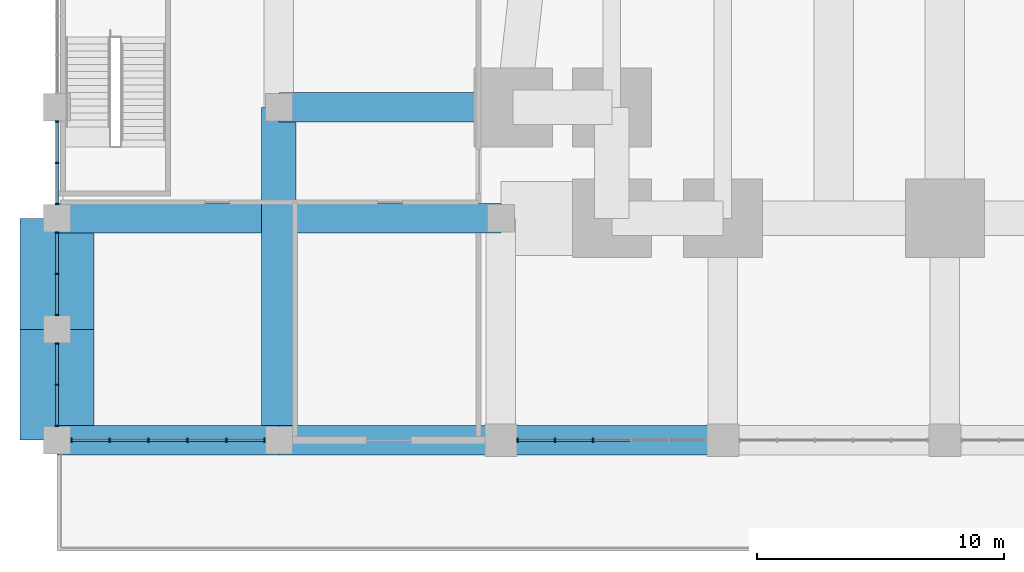
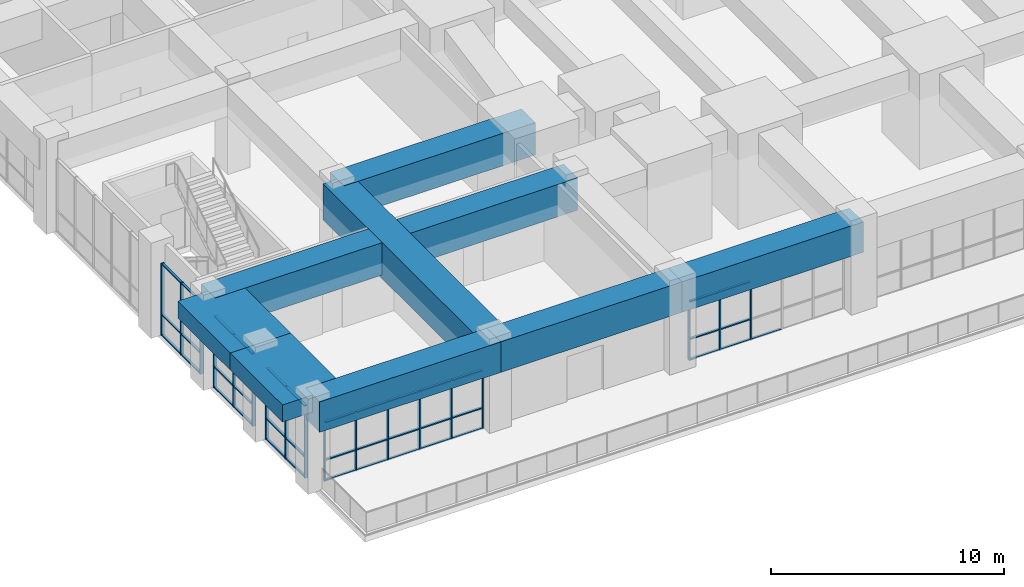
# One storey, part 2 of 27: 58 members, 9 beams, 5 elements without a shape of their own.
"""IFC4 building model written with IfcOpenShell, lengths in metres."""

from ifc_helpers import new_model, si_unit, direction, frame, origin, origin_2d, place, context, subcontext, project, spatial, rectangle, extrude, material, material_profile, profile_set, type_object, element, aggregate, save


model = new_model("IFC4")

# Units and contexts
model_context = context("Model", 3, precision=1e-05, world=origin(), true_north=direction((0.0, 1.0)))
body_context = subcontext(model_context, "Body", "Model", "MODEL_VIEW")
ifc_project = project(units=[si_unit("LENGTHUNIT", "METRE"), si_unit("AREAUNIT", "SQUARE_METRE"), si_unit("VOLUMEUNIT", "CUBIC_METRE"), si_unit("PLANEANGLEUNIT", "RADIAN"), si_unit("MASSUNIT", "GRAM", prefix="KILO")], contexts=[model_context])

# Site, building, storey
site_placement = place(None, origin())
site = spatial("IfcSite", under=ifc_project, at=site_placement, CompositionType="ELEMENT")
building_placement = place(site_placement, origin())
building = spatial("IfcBuilding", under=site, at=building_placement, Name="Kilele Tower Hotel", CompositionType="ELEMENT")
storey_placement = place(building_placement, frame((0.0, 0.0, 6.0)))
storey = spatial("IfcBuildingStorey", under=building, at=storey_placement, Name="L01", CompositionType="ELEMENT", Elevation=6.0)

# Beams
ifc_material_1 = material(Name="Concrete C60/75", Category="concrete")
ifc_material_profile_1 = material_profile(ifc_material_1, rectangle(XDim=1.199951171875, YDim=1.60009765625, at=origin_2d()))
ifc_profile_set_1 = profile_set([ifc_material_profile_1], Name="Concrete C60/75")
beam_type_1 = type_object("IfcBeamType", Name="Beam RC 1200x1600 C60/75", PredefinedType="BEAM", material=ifc_profile_set_1)
for number, where, z_axis, x_axis, name in (
    (1, (0.0, -9.0, 3.89990234375), (1.0, 0.0, 0.0), (0.0, 1.0, 0.0), "Beam PB2 level L02"),
    (2, (-18.0, -9.0, 3.89990234375), (1.0, 0.0, 0.0), (0.0, 1.0, 0.0), "Beam PB2 level L02"),
    (3, (-9.0, -9.0, 3.89990234375), (1.0, 0.0, 0.0), (0.0, 1.0, 0.0), "Beam PB2 level L02"),
):
    element("IfcBeam", number, at=place(storey_placement, frame(where, z_axis=z_axis, x_axis=x_axis)), inside=storey, type_object=beam_type_1, Name=name, PredefinedType="BEAM", context=body_context, shape_type="SweptSolid", body=[
        extrude(rectangle(XDim=1.199951171875, YDim=1.60009765625, at=origin_2d()), origin(), (0.0, 0.0, 1.0), 9.0),
    ])
ifc_material_2 = material(Name="Concrete C60/75", Category="concrete")
ifc_material_profile_2 = material_profile(ifc_material_2, rectangle(XDim=1.199951171875, YDim=1.699951171875, at=origin_2d()))
ifc_profile_set_2 = profile_set([ifc_material_profile_2], Name="Concrete C60/75")
beam_type_2 = type_object("IfcBeamType", Name="Beam RC 1200x1700 C60/75 mid span", PredefinedType="BEAM", material=ifc_profile_set_2)
beam_1_placement = place(storey_placement, frame((-9.0, 4.5, 3.85009765625), z_axis=(1.0, 0.0, 0.0), x_axis=(0.0, 1.0, 0.0)))
element("IfcBeam", 4, at=beam_1_placement, inside=storey, type_object=beam_type_2, Name="Beam PB4 level L02", PredefinedType="BEAM", context=body_context, shape_type="SweptSolid", body=[
    extrude(rectangle(XDim=1.199951171875, YDim=1.699951171875, at=origin_2d()), origin(), (0.0, 0.0, 1.0), 9.5),
])
ifc_material_3 = material(Name="Concrete C60/75", Category="concrete")
ifc_material_profile_3 = material_profile(ifc_material_3, rectangle(XDim=3.0, YDim=0.89990234375, at=origin_2d()))
ifc_profile_set_3 = profile_set([ifc_material_profile_3], Name="Concrete C60/75")
beam_type_3 = type_object("IfcBeamType", Name="Beam RC 3000x900 C60/75", PredefinedType="BEAM", material=ifc_profile_set_3)
for number, where, z_axis, x_axis, name in (
    (5, (-18.0, -4.5, 4.25), (0.0, 1.0, 0.0), (-1.0, 0.0, 0.0), "Beam PB1 level L02"),
    (6, (-18.0, -9.0, 4.25), (0.0, 1.0, 0.0), (-1.0, 0.0, 0.0), "Beam PB1 level L02"),
):
    element("IfcBeam", number, at=place(storey_placement, frame(where, z_axis=z_axis, x_axis=x_axis)), inside=storey, type_object=beam_type_3, Name=name, PredefinedType="BEAM", context=body_context, shape_type="SweptSolid", body=[
        extrude(rectangle(XDim=3.0, YDim=0.89990234375, at=origin_2d()), origin(), (0.0, 0.0, 1.0), 4.5),
    ])
ifc_material_4 = material(Name="Concrete C60/75", Category="concrete")
ifc_material_profile_4 = material_profile(ifc_material_4, rectangle(XDim=1.199951171875, YDim=1.699951171875, at=origin_2d()))
ifc_profile_set_4 = profile_set([ifc_material_profile_4], Name="Concrete C60/75")
beam_type_4 = type_object("IfcBeamType", Name="Long-span beam RC 1200x1700 C60/75", PredefinedType="BEAM", material=ifc_profile_set_4)
for number, where, z_axis, x_axis, name in (
    (7, (-18.0, 0.0, 3.85009765625), (1.0, 0.0, 0.0), (0.0, 1.0, 0.0), "Long-span beam LB6 level L02"),
    (8, (-8.300048828125, 0.0, 3.85009765625), (1.0, 0.0, 0.0), (0.0, 1.0, 0.0), "Long-span beam LB6 level L02"),
):
    element("IfcBeam", number, at=place(storey_placement, frame(where, z_axis=z_axis, x_axis=x_axis)), inside=storey, type_object=beam_type_4, Name=name, PredefinedType="BEAM", context=body_context, shape_type="SweptSolid", body=[
        extrude(rectangle(XDim=1.199951171875, YDim=1.699951171875, at=origin_2d()), origin(), (0.0, 0.0, 1.0), 8.300048828125),
    ])

# Curtain wall, members
ifc_material_5 = material(Name="Aluminium curtain wall, clear double glazing", Category="aluminium")
curtain_wall_type_1 = type_object("IfcCurtainWallType", Name="Podium curtain wall CW-1", PredefinedType="NOTDEFINED", material=ifc_material_5)
curtain_wall_1_placement = place(storey_placement, origin())
curtain_wall_1 = element("IfcCurtainWall", 9, at=curtain_wall_1_placement, inside=storey, type_object=curtain_wall_type_1, Name="Podium curtain wall CW-1 L01", PredefinedType="NOTDEFINED")
ifc_material_6 = material(Name="Aluminium EN AW-6063 T6", Category="aluminium")
ifc_material_profile_5 = material_profile(ifc_material_6, rectangle(XDim=0.159912109375, YDim=0.06005859375, at=origin_2d()))
ifc_profile_set_5 = profile_set([ifc_material_profile_5], Name="Aluminium EN AW-6063 T6")
member_type_1 = type_object("IfcMemberType", Name="Mullion 60x160 CW-1", PredefinedType="MULLION", material=ifc_profile_set_5)
member_1_placement = place(storey_placement, frame((-17.419921875, -9.0, 0.0), z_axis=(0.0, 0.0, 1.0), x_axis=(0.0, 1.0, 0.0)))
member_1 = element("IfcMember", 10, at=member_1_placement, type_object=member_type_1, Name="CW-1 mullion 1", PredefinedType="MULLION", context=body_context, shape_type="SweptSolid", body=[
    extrude(rectangle(XDim=0.159912109375, YDim=0.06005859375, at=origin_2d()), origin(), (0.0, 0.0, 1.0), 3.10009765625),
])
member_2_placement = place(storey_placement, frame((-15.8701171875, -9.0, 0.0), z_axis=(0.0, 0.0, 1.0), x_axis=(0.0, 1.0, 0.0)))
member_2 = element("IfcMember", 11, at=member_2_placement, type_object=member_type_1, Name="CW-1 mullion 2", PredefinedType="MULLION", context=body_context, shape_type="SweptSolid", body=[
    extrude(rectangle(XDim=0.159912109375, YDim=0.06005859375, at=origin_2d()), origin(), (0.0, 0.0, 1.0), 3.10009765625),
])
member_3_placement = place(storey_placement, frame((-14.2900390625, -9.0, 0.0), z_axis=(0.0, 0.0, 1.0), x_axis=(0.0, 1.0, 0.0)))
member_3 = element("IfcMember", 12, at=member_3_placement, type_object=member_type_1, Name="CW-1 mullion 3", PredefinedType="MULLION", context=body_context, shape_type="SweptSolid", body=[
    extrude(rectangle(XDim=0.159912109375, YDim=0.06005859375, at=origin_2d()), origin(), (0.0, 0.0, 1.0), 3.10009765625),
])
member_4_placement = place(storey_placement, frame((-12.7099609375, -9.0, 0.0), z_axis=(0.0, 0.0, 1.0), x_axis=(0.0, 1.0, 0.0)))
member_4 = element("IfcMember", 13, at=member_4_placement, type_object=member_type_1, Name="CW-1 mullion 4", PredefinedType="MULLION", context=body_context, shape_type="SweptSolid", body=[
    extrude(rectangle(XDim=0.159912109375, YDim=0.06005859375, at=origin_2d()), origin(), (0.0, 0.0, 1.0), 3.10009765625),
])
member_5_placement = place(storey_placement, frame((-11.1298828125, -9.0, 0.0), z_axis=(0.0, 0.0, 1.0), x_axis=(0.0, 1.0, 0.0)))
member_5 = element("IfcMember", 14, at=member_5_placement, type_object=member_type_1, Name="CW-1 mullion 5", PredefinedType="MULLION", context=body_context, shape_type="SweptSolid", body=[
    extrude(rectangle(XDim=0.159912109375, YDim=0.06005859375, at=origin_2d()), origin(), (0.0, 0.0, 1.0), 3.10009765625),
])
member_6_placement = place(storey_placement, frame((-9.580078125, -9.0, 0.0), z_axis=(0.0, 0.0, 1.0), x_axis=(0.0, 1.0, 0.0)))
member_6 = element("IfcMember", 15, at=member_6_placement, type_object=member_type_1, Name="CW-1 mullion 6", PredefinedType="MULLION", context=body_context, shape_type="SweptSolid", body=[
    extrude(rectangle(XDim=0.159912109375, YDim=0.06005859375, at=origin_2d()), origin(), (0.0, 0.0, 1.0), 3.10009765625),
])

curtain_wall_2_placement = place(storey_placement, origin())
curtain_wall_2 = element("IfcCurtainWall", 16, at=curtain_wall_2_placement, inside=storey, type_object=curtain_wall_type_1, Name="Podium curtain wall CW-1 L01", PredefinedType="NOTDEFINED")
member_7_placement = place(storey_placement, frame((0.679931640625, -9.0, 0.0), z_axis=(0.0, 0.0, 1.0), x_axis=(0.0, 1.0, 0.0)))
member_7 = element("IfcMember", 17, at=member_7_placement, type_object=member_type_1, Name="CW-1 mullion 1", PredefinedType="MULLION", context=body_context, shape_type="SweptSolid", body=[
    extrude(rectangle(XDim=0.159912109375, YDim=0.06005859375, at=origin_2d()), origin(), (0.0, 0.0, 1.0), 3.10009765625),
])
member_8_placement = place(storey_placement, frame((2.18994140625, -9.0, 0.0), z_axis=(0.0, 0.0, 1.0), x_axis=(0.0, 1.0, 0.0)))
member_8 = element("IfcMember", 18, at=member_8_placement, type_object=member_type_1, Name="CW-1 mullion 2", PredefinedType="MULLION", context=body_context, shape_type="SweptSolid", body=[
    extrude(rectangle(XDim=0.159912109375, YDim=0.06005859375, at=origin_2d()), origin(), (0.0, 0.0, 1.0), 3.10009765625),
])
member_9_placement = place(storey_placement, frame((3.72998046875, -9.0, 0.0), z_axis=(0.0, 0.0, 1.0), x_axis=(0.0, 1.0, 0.0)))
member_9 = element("IfcMember", 19, at=member_9_placement, type_object=member_type_1, Name="CW-1 mullion 3", PredefinedType="MULLION", context=body_context, shape_type="SweptSolid", body=[
    extrude(rectangle(XDim=0.159912109375, YDim=0.06005859375, at=origin_2d()), origin(), (0.0, 0.0, 1.0), 3.10009765625),
])

ifc_material_7 = material(Name="Aluminium curtain wall, clear double glazing", Category="aluminium")
curtain_wall_type_2 = type_object("IfcCurtainWallType", Name="Podium side curtain wall CW-2", PredefinedType="NOTDEFINED", material=ifc_material_7)
curtain_wall_3_placement = place(storey_placement, origin())
curtain_wall_3 = element("IfcCurtainWall", 20, at=curtain_wall_3_placement, inside=storey, type_object=curtain_wall_type_2, Name="Podium side curtain wall CW-2 L01", PredefinedType="NOTDEFINED")
ifc_material_8 = material(Name="Aluminium EN AW-6063 T6", Category="aluminium")
ifc_material_profile_6 = material_profile(ifc_material_8, rectangle(XDim=0.159912109375, YDim=0.06005859375, at=origin_2d()))
ifc_profile_set_6 = profile_set([ifc_material_profile_6], Name="Aluminium EN AW-6063 T6")
member_type_2 = type_object("IfcMemberType", Name="Mullion 60x160 CW-2", PredefinedType="MULLION", material=ifc_profile_set_6)
member_10_placement = place(storey_placement, frame((-18.0, 3.919921875, 0.0), z_axis=(0.0, 0.0, 1.0), x_axis=(1.0, 0.0, 0.0)))
member_10 = element("IfcMember", 21, at=member_10_placement, type_object=member_type_2, Name="CW-2 mullion 1", PredefinedType="MULLION", context=body_context, shape_type="SweptSolid", body=[
    extrude(rectangle(XDim=0.159912109375, YDim=0.06005859375, at=origin_2d()), origin(), (0.0, 0.0, 1.0), 3.800048828125),
])
member_11_placement = place(storey_placement, frame((-18.0, 2.25, 0.0), z_axis=(0.0, 0.0, 1.0), x_axis=(1.0, 0.0, 0.0)))
member_11 = element("IfcMember", 22, at=member_11_placement, type_object=member_type_2, Name="CW-2 mullion 2", PredefinedType="MULLION", context=body_context, shape_type="SweptSolid", body=[
    extrude(rectangle(XDim=0.159912109375, YDim=0.06005859375, at=origin_2d()), origin(), (0.0, 0.0, 1.0), 3.800048828125),
])
member_12_placement = place(storey_placement, frame((-18.0, 0.580078125, 0.0), z_axis=(0.0, 0.0, 1.0), x_axis=(1.0, 0.0, 0.0)))
member_12 = element("IfcMember", 23, at=member_12_placement, type_object=member_type_2, Name="CW-2 mullion 3", PredefinedType="MULLION", context=body_context, shape_type="SweptSolid", body=[
    extrude(rectangle(XDim=0.159912109375, YDim=0.06005859375, at=origin_2d()), origin(), (0.0, 0.0, 1.0), 3.800048828125),
])

curtain_wall_4_placement = place(storey_placement, origin())
curtain_wall_4 = element("IfcCurtainWall", 24, at=curtain_wall_4_placement, inside=storey, type_object=curtain_wall_type_2, Name="Podium side curtain wall CW-2 L01", PredefinedType="NOTDEFINED")
member_13_placement = place(storey_placement, frame((-18.0, -0.580078125, 0.0), z_axis=(0.0, 0.0, 1.0), x_axis=(1.0, 0.0, 0.0)))
member_13 = element("IfcMember", 25, at=member_13_placement, type_object=member_type_2, Name="CW-2 mullion 1", PredefinedType="MULLION", context=body_context, shape_type="SweptSolid", body=[
    extrude(rectangle(XDim=0.159912109375, YDim=0.06005859375, at=origin_2d()), origin(), (0.0, 0.0, 1.0), 3.800048828125),
])
member_14_placement = place(storey_placement, frame((-18.0, -2.25, 0.0), z_axis=(0.0, 0.0, 1.0), x_axis=(1.0, 0.0, 0.0)))
member_14 = element("IfcMember", 26, at=member_14_placement, type_object=member_type_2, Name="CW-2 mullion 2", PredefinedType="MULLION", context=body_context, shape_type="SweptSolid", body=[
    extrude(rectangle(XDim=0.159912109375, YDim=0.06005859375, at=origin_2d()), origin(), (0.0, 0.0, 1.0), 3.800048828125),
])
member_15_placement = place(storey_placement, frame((-18.0, -3.919921875, 0.0), z_axis=(0.0, 0.0, 1.0), x_axis=(1.0, 0.0, 0.0)))
member_15 = element("IfcMember", 27, at=member_15_placement, type_object=member_type_2, Name="CW-2 mullion 3", PredefinedType="MULLION", context=body_context, shape_type="SweptSolid", body=[
    extrude(rectangle(XDim=0.159912109375, YDim=0.06005859375, at=origin_2d()), origin(), (0.0, 0.0, 1.0), 3.800048828125),
])

curtain_wall_5_placement = place(storey_placement, origin())
curtain_wall_5 = element("IfcCurtainWall", 28, at=curtain_wall_5_placement, inside=storey, type_object=curtain_wall_type_2, Name="Podium side curtain wall CW-2 L01", PredefinedType="NOTDEFINED")
member_16_placement = place(storey_placement, frame((-18.0, -5.080078125, 0.0), z_axis=(0.0, 0.0, 1.0), x_axis=(1.0, 0.0, 0.0)))
member_16 = element("IfcMember", 29, at=member_16_placement, type_object=member_type_2, Name="CW-2 mullion 1", PredefinedType="MULLION", context=body_context, shape_type="SweptSolid", body=[
    extrude(rectangle(XDim=0.159912109375, YDim=0.06005859375, at=origin_2d()), origin(), (0.0, 0.0, 1.0), 3.800048828125),
])
member_17_placement = place(storey_placement, frame((-18.0, -6.75, 0.0), z_axis=(0.0, 0.0, 1.0), x_axis=(1.0, 0.0, 0.0)))
member_17 = element("IfcMember", 30, at=member_17_placement, type_object=member_type_2, Name="CW-2 mullion 2", PredefinedType="MULLION", context=body_context, shape_type="SweptSolid", body=[
    extrude(rectangle(XDim=0.159912109375, YDim=0.06005859375, at=origin_2d()), origin(), (0.0, 0.0, 1.0), 3.800048828125),
])
member_18_placement = place(storey_placement, frame((-18.0, -8.419921875, 0.0), z_axis=(0.0, 0.0, 1.0), x_axis=(1.0, 0.0, 0.0)))
member_18 = element("IfcMember", 31, at=member_18_placement, type_object=member_type_2, Name="CW-2 mullion 3", PredefinedType="MULLION", context=body_context, shape_type="SweptSolid", body=[
    extrude(rectangle(XDim=0.159912109375, YDim=0.06005859375, at=origin_2d()), origin(), (0.0, 0.0, 1.0), 3.800048828125),
])

# Beam
ifc_material_9 = material(Name="Concrete C60/75", Category="concrete")
ifc_material_profile_7 = material_profile(ifc_material_9, rectangle(XDim=1.39990234375, YDim=1.89990234375, at=origin_2d()))
ifc_profile_set_7 = profile_set([ifc_material_profile_7], Name="Concrete C60/75")
beam_type_5 = type_object("IfcBeamType", Name="Transfer girder RC 1400x1900 C60/75", PredefinedType="USERDEFINED", material=ifc_profile_set_7)
beam_2_placement = place(storey_placement, frame((-9.0, -9.0, 3.75), z_axis=(0.0, 1.0, 0.0), x_axis=(-1.0, 0.0, 0.0)))
element("IfcBeam", 32, at=beam_2_placement, inside=storey, type_object=beam_type_5, Name="Transfer girder TG2 level L02", ObjectType="TRANSFER GIRDER", PredefinedType="USERDEFINED", context=body_context, shape_type="SweptSolid", body=[
    extrude(rectangle(XDim=1.39990234375, YDim=1.89990234375, at=origin_2d()), origin(), (0.0, 0.0, 1.0), 13.5),
])

# Member
ifc_material_10 = material(Name="Aluminium EN AW-6063 T6", Category="aluminium")
ifc_material_profile_8 = material_profile(ifc_material_10, rectangle(XDim=0.1201171875, YDim=0.06005859375, at=origin_2d()))
ifc_profile_set_8 = profile_set([ifc_material_profile_8], Name="Aluminium EN AW-6063 T6")
member_type_3 = type_object("IfcMemberType", Name="Transom 60x120 CW-1", PredefinedType="USERDEFINED", material=ifc_profile_set_8)
member_19_placement = place(storey_placement, frame((-17.389892578125, -9.0, 0.030029296875), z_axis=(1.0, 0.0, 0.0), x_axis=(0.0, 1.0, 0.0)))
member_19 = element("IfcMember", 33, at=member_19_placement, type_object=member_type_3, Name="CW-1 transom 1.1", ObjectType="TRANSOM", PredefinedType="USERDEFINED", context=body_context, shape_type="SweptSolid", body=[
    extrude(rectangle(XDim=0.1201171875, YDim=0.06005859375, at=origin_2d()), origin(), (0.0, 0.0, 1.0), 1.489990234375),
])

member_20_placement = place(storey_placement, frame((-17.389892578125, -9.0, 1.10009765625), z_axis=(1.0, 0.0, 0.0), x_axis=(0.0, 1.0, 0.0)))
member_20 = element("IfcMember", 34, at=member_20_placement, type_object=member_type_3, Name="CW-1 transom 1.2", ObjectType="TRANSOM", PredefinedType="USERDEFINED", context=body_context, shape_type="SweptSolid", body=[
    extrude(rectangle(XDim=0.1201171875, YDim=0.06005859375, at=origin_2d()), origin(), (0.0, 0.0, 1.0), 1.489990234375),
])

member_21_placement = place(storey_placement, frame((-17.389892578125, -9.0, 3.070068359375), z_axis=(1.0, 0.0, 0.0), x_axis=(0.0, 1.0, 0.0)))
member_21 = element("IfcMember", 35, at=member_21_placement, type_object=member_type_3, Name="CW-1 transom 1.3", ObjectType="TRANSOM", PredefinedType="USERDEFINED", context=body_context, shape_type="SweptSolid", body=[
    extrude(rectangle(XDim=0.1201171875, YDim=0.06005859375, at=origin_2d()), origin(), (0.0, 0.0, 1.0), 1.489990234375),
])

member_22_placement = place(storey_placement, frame((-15.840087890625, -9.0, 0.030029296875), z_axis=(1.0, 0.0, 0.0), x_axis=(0.0, 1.0, 0.0)))
member_22 = element("IfcMember", 36, at=member_22_placement, type_object=member_type_3, Name="CW-1 transom 2.1", ObjectType="TRANSOM", PredefinedType="USERDEFINED", context=body_context, shape_type="SweptSolid", body=[
    extrude(rectangle(XDim=0.1201171875, YDim=0.06005859375, at=origin_2d()), origin(), (0.0, 0.0, 1.0), 1.52001953125),
])

member_23_placement = place(storey_placement, frame((-15.840087890625, -9.0, 1.10009765625), z_axis=(1.0, 0.0, 0.0), x_axis=(0.0, 1.0, 0.0)))
member_23 = element("IfcMember", 37, at=member_23_placement, type_object=member_type_3, Name="CW-1 transom 2.2", ObjectType="TRANSOM", PredefinedType="USERDEFINED", context=body_context, shape_type="SweptSolid", body=[
    extrude(rectangle(XDim=0.1201171875, YDim=0.06005859375, at=origin_2d()), origin(), (0.0, 0.0, 1.0), 1.52001953125),
])

member_24_placement = place(storey_placement, frame((-15.840087890625, -9.0, 3.070068359375), z_axis=(1.0, 0.0, 0.0), x_axis=(0.0, 1.0, 0.0)))
member_24 = element("IfcMember", 38, at=member_24_placement, type_object=member_type_3, Name="CW-1 transom 2.3", ObjectType="TRANSOM", PredefinedType="USERDEFINED", context=body_context, shape_type="SweptSolid", body=[
    extrude(rectangle(XDim=0.1201171875, YDim=0.06005859375, at=origin_2d()), origin(), (0.0, 0.0, 1.0), 1.52001953125),
])

member_25_placement = place(storey_placement, frame((-14.260009765625, -9.0, 0.030029296875), z_axis=(1.0, 0.0, 0.0), x_axis=(0.0, 1.0, 0.0)))
member_25 = element("IfcMember", 39, at=member_25_placement, type_object=member_type_3, Name="CW-1 transom 3.1", ObjectType="TRANSOM", PredefinedType="USERDEFINED", context=body_context, shape_type="SweptSolid", body=[
    extrude(rectangle(XDim=0.1201171875, YDim=0.06005859375, at=origin_2d()), origin(), (0.0, 0.0, 1.0), 1.52001953125),
])

member_26_placement = place(storey_placement, frame((-14.260009765625, -9.0, 1.10009765625), z_axis=(1.0, 0.0, 0.0), x_axis=(0.0, 1.0, 0.0)))
member_26 = element("IfcMember", 40, at=member_26_placement, type_object=member_type_3, Name="CW-1 transom 3.2", ObjectType="TRANSOM", PredefinedType="USERDEFINED", context=body_context, shape_type="SweptSolid", body=[
    extrude(rectangle(XDim=0.1201171875, YDim=0.06005859375, at=origin_2d()), origin(), (0.0, 0.0, 1.0), 1.52001953125),
])

member_27_placement = place(storey_placement, frame((-14.260009765625, -9.0, 3.070068359375), z_axis=(1.0, 0.0, 0.0), x_axis=(0.0, 1.0, 0.0)))
member_27 = element("IfcMember", 41, at=member_27_placement, type_object=member_type_3, Name="CW-1 transom 3.3", ObjectType="TRANSOM", PredefinedType="USERDEFINED", context=body_context, shape_type="SweptSolid", body=[
    extrude(rectangle(XDim=0.1201171875, YDim=0.06005859375, at=origin_2d()), origin(), (0.0, 0.0, 1.0), 1.52001953125),
])

member_28_placement = place(storey_placement, frame((-12.679931640625, -9.0, 0.030029296875), z_axis=(1.0, 0.0, 0.0), x_axis=(0.0, 1.0, 0.0)))
member_28 = element("IfcMember", 42, at=member_28_placement, type_object=member_type_3, Name="CW-1 transom 4.1", ObjectType="TRANSOM", PredefinedType="USERDEFINED", context=body_context, shape_type="SweptSolid", body=[
    extrude(rectangle(XDim=0.1201171875, YDim=0.06005859375, at=origin_2d()), origin(), (0.0, 0.0, 1.0), 1.52001953125),
])

member_29_placement = place(storey_placement, frame((-12.679931640625, -9.0, 1.10009765625), z_axis=(1.0, 0.0, 0.0), x_axis=(0.0, 1.0, 0.0)))
member_29 = element("IfcMember", 43, at=member_29_placement, type_object=member_type_3, Name="CW-1 transom 4.2", ObjectType="TRANSOM", PredefinedType="USERDEFINED", context=body_context, shape_type="SweptSolid", body=[
    extrude(rectangle(XDim=0.1201171875, YDim=0.06005859375, at=origin_2d()), origin(), (0.0, 0.0, 1.0), 1.52001953125),
])

member_30_placement = place(storey_placement, frame((-12.679931640625, -9.0, 3.070068359375), z_axis=(1.0, 0.0, 0.0), x_axis=(0.0, 1.0, 0.0)))
member_30 = element("IfcMember", 44, at=member_30_placement, type_object=member_type_3, Name="CW-1 transom 4.3", ObjectType="TRANSOM", PredefinedType="USERDEFINED", context=body_context, shape_type="SweptSolid", body=[
    extrude(rectangle(XDim=0.1201171875, YDim=0.06005859375, at=origin_2d()), origin(), (0.0, 0.0, 1.0), 1.52001953125),
])

member_31_placement = place(storey_placement, frame((-11.10009765625, -9.0, 0.030029296875), z_axis=(1.0, 0.0, 0.0), x_axis=(0.0, 1.0, 0.0)))
member_31 = element("IfcMember", 45, at=member_31_placement, type_object=member_type_3, Name="CW-1 transom 5.1", ObjectType="TRANSOM", PredefinedType="USERDEFINED", context=body_context, shape_type="SweptSolid", body=[
    extrude(rectangle(XDim=0.1201171875, YDim=0.06005859375, at=origin_2d()), origin(), (0.0, 0.0, 1.0), 1.489990234375),
])

member_32_placement = place(storey_placement, frame((-11.10009765625, -9.0, 1.10009765625), z_axis=(1.0, 0.0, 0.0), x_axis=(0.0, 1.0, 0.0)))
member_32 = element("IfcMember", 46, at=member_32_placement, type_object=member_type_3, Name="CW-1 transom 5.2", ObjectType="TRANSOM", PredefinedType="USERDEFINED", context=body_context, shape_type="SweptSolid", body=[
    extrude(rectangle(XDim=0.1201171875, YDim=0.06005859375, at=origin_2d()), origin(), (0.0, 0.0, 1.0), 1.489990234375),
])

member_33_placement = place(storey_placement, frame((-11.10009765625, -9.0, 3.070068359375), z_axis=(1.0, 0.0, 0.0), x_axis=(0.0, 1.0, 0.0)))
member_33 = element("IfcMember", 47, at=member_33_placement, type_object=member_type_3, Name="CW-1 transom 5.3", ObjectType="TRANSOM", PredefinedType="USERDEFINED", context=body_context, shape_type="SweptSolid", body=[
    extrude(rectangle(XDim=0.1201171875, YDim=0.06005859375, at=origin_2d()), origin(), (0.0, 0.0, 1.0), 1.489990234375),
])

aggregate(curtain_wall_1, [member_1, member_2, member_3, member_4, member_5, member_6, member_19, member_20, member_21, member_22, member_23, member_24, member_25, member_26, member_27, member_28, member_29, member_30, member_31, member_32, member_33])

member_34_placement = place(storey_placement, frame((0.7099609375, -9.0, 0.030029296875), z_axis=(1.0, 0.0, 0.0), x_axis=(0.0, 1.0, 0.0)))
member_34 = element("IfcMember", 48, at=member_34_placement, type_object=member_type_3, Name="CW-1 transom 1.1", ObjectType="TRANSOM", PredefinedType="USERDEFINED", context=body_context, shape_type="SweptSolid", body=[
    extrude(rectangle(XDim=0.1201171875, YDim=0.06005859375, at=origin_2d()), origin(), (0.0, 0.0, 1.0), 1.449951171875),
])

member_35_placement = place(storey_placement, frame((0.7099609375, -9.0, 1.10009765625), z_axis=(1.0, 0.0, 0.0), x_axis=(0.0, 1.0, 0.0)))
member_35 = element("IfcMember", 49, at=member_35_placement, type_object=member_type_3, Name="CW-1 transom 1.2", ObjectType="TRANSOM", PredefinedType="USERDEFINED", context=body_context, shape_type="SweptSolid", body=[
    extrude(rectangle(XDim=0.1201171875, YDim=0.06005859375, at=origin_2d()), origin(), (0.0, 0.0, 1.0), 1.449951171875),
])

member_36_placement = place(storey_placement, frame((0.7099609375, -9.0, 3.070068359375), z_axis=(1.0, 0.0, 0.0), x_axis=(0.0, 1.0, 0.0)))
member_36 = element("IfcMember", 50, at=member_36_placement, type_object=member_type_3, Name="CW-1 transom 1.3", ObjectType="TRANSOM", PredefinedType="USERDEFINED", context=body_context, shape_type="SweptSolid", body=[
    extrude(rectangle(XDim=0.1201171875, YDim=0.06005859375, at=origin_2d()), origin(), (0.0, 0.0, 1.0), 1.449951171875),
])

member_37_placement = place(storey_placement, frame((2.219970703125, -9.0, 0.030029296875), z_axis=(1.0, 0.0, 0.0), x_axis=(0.0, 1.0, 0.0)))
member_37 = element("IfcMember", 51, at=member_37_placement, type_object=member_type_3, Name="CW-1 transom 2.1", ObjectType="TRANSOM", PredefinedType="USERDEFINED", context=body_context, shape_type="SweptSolid", body=[
    extrude(rectangle(XDim=0.1201171875, YDim=0.06005859375, at=origin_2d()), origin(), (0.0, 0.0, 1.0), 1.47998046875),
])

member_38_placement = place(storey_placement, frame((2.219970703125, -9.0, 1.10009765625), z_axis=(1.0, 0.0, 0.0), x_axis=(0.0, 1.0, 0.0)))
member_38 = element("IfcMember", 52, at=member_38_placement, type_object=member_type_3, Name="CW-1 transom 2.2", ObjectType="TRANSOM", PredefinedType="USERDEFINED", context=body_context, shape_type="SweptSolid", body=[
    extrude(rectangle(XDim=0.1201171875, YDim=0.06005859375, at=origin_2d()), origin(), (0.0, 0.0, 1.0), 1.47998046875),
])

member_39_placement = place(storey_placement, frame((2.219970703125, -9.0, 3.070068359375), z_axis=(1.0, 0.0, 0.0), x_axis=(0.0, 1.0, 0.0)))
member_39 = element("IfcMember", 53, at=member_39_placement, type_object=member_type_3, Name="CW-1 transom 2.3", ObjectType="TRANSOM", PredefinedType="USERDEFINED", context=body_context, shape_type="SweptSolid", body=[
    extrude(rectangle(XDim=0.1201171875, YDim=0.06005859375, at=origin_2d()), origin(), (0.0, 0.0, 1.0), 1.47998046875),
])

member_40_placement = place(storey_placement, frame((3.760009765625, -9.0, 0.030029296875), z_axis=(1.0, 0.0, 0.0), x_axis=(0.0, 1.0, 0.0)))
member_40 = element("IfcMember", 54, at=member_40_placement, type_object=member_type_3, Name="CW-1 transom 3.1", ObjectType="TRANSOM", PredefinedType="USERDEFINED", context=body_context, shape_type="SweptSolid", body=[
    extrude(rectangle(XDim=0.1201171875, YDim=0.06005859375, at=origin_2d()), origin(), (0.0, 0.0, 1.0), 1.47998046875),
])

aggregate(curtain_wall_2, [member_7, member_8, member_9, member_34, member_35, member_36, member_37, member_38, member_39, member_40])

ifc_material_11 = material(Name="Aluminium EN AW-6063 T6", Category="aluminium")
ifc_material_profile_9 = material_profile(ifc_material_11, rectangle(XDim=0.1201171875, YDim=0.06005859375, at=origin_2d()))
ifc_profile_set_9 = profile_set([ifc_material_profile_9], Name="Aluminium EN AW-6063 T6")
member_type_4 = type_object("IfcMemberType", Name="Transom 60x120 CW-2", PredefinedType="USERDEFINED", material=ifc_profile_set_9)
member_41_placement = place(storey_placement, frame((-18.0, 3.889892578125, 0.030029296875), z_axis=(0.0, -1.0, 0.0), x_axis=(1.0, 0.0, 0.0)))
member_41 = element("IfcMember", 55, at=member_41_placement, type_object=member_type_4, Name="CW-2 transom 1.1", ObjectType="TRANSOM", PredefinedType="USERDEFINED", context=body_context, shape_type="SweptSolid", body=[
    extrude(rectangle(XDim=0.1201171875, YDim=0.06005859375, at=origin_2d()), origin(), (0.0, 0.0, 1.0), 1.60986328125),
])

member_42_placement = place(storey_placement, frame((-18.0, 3.889892578125, 1.10009765625), z_axis=(0.0, -1.0, 0.0), x_axis=(1.0, 0.0, 0.0)))
member_42 = element("IfcMember", 56, at=member_42_placement, type_object=member_type_4, Name="CW-2 transom 1.2", ObjectType="TRANSOM", PredefinedType="USERDEFINED", context=body_context, shape_type="SweptSolid", body=[
    extrude(rectangle(XDim=0.1201171875, YDim=0.06005859375, at=origin_2d()), origin(), (0.0, 0.0, 1.0), 1.60986328125),
])

member_43_placement = place(storey_placement, frame((-18.0, 3.889892578125, 3.77001953125), z_axis=(0.0, -1.0, 0.0), x_axis=(1.0, 0.0, 0.0)))
member_43 = element("IfcMember", 57, at=member_43_placement, type_object=member_type_4, Name="CW-2 transom 1.3", ObjectType="TRANSOM", PredefinedType="USERDEFINED", context=body_context, shape_type="SweptSolid", body=[
    extrude(rectangle(XDim=0.1201171875, YDim=0.06005859375, at=origin_2d()), origin(), (0.0, 0.0, 1.0), 1.60986328125),
])

member_44_placement = place(storey_placement, frame((-18.0, 2.219970703125, 0.030029296875), z_axis=(0.0, -1.0, 0.0), x_axis=(1.0, 0.0, 0.0)))
member_44 = element("IfcMember", 58, at=member_44_placement, type_object=member_type_4, Name="CW-2 transom 2.1", ObjectType="TRANSOM", PredefinedType="USERDEFINED", context=body_context, shape_type="SweptSolid", body=[
    extrude(rectangle(XDim=0.1201171875, YDim=0.06005859375, at=origin_2d()), origin(), (0.0, 0.0, 1.0), 1.60986328125),
])

member_45_placement = place(storey_placement, frame((-18.0, 2.219970703125, 1.10009765625), z_axis=(0.0, -1.0, 0.0), x_axis=(1.0, 0.0, 0.0)))
member_45 = element("IfcMember", 59, at=member_45_placement, type_object=member_type_4, Name="CW-2 transom 2.2", ObjectType="TRANSOM", PredefinedType="USERDEFINED", context=body_context, shape_type="SweptSolid", body=[
    extrude(rectangle(XDim=0.1201171875, YDim=0.06005859375, at=origin_2d()), origin(), (0.0, 0.0, 1.0), 1.60986328125),
])

member_46_placement = place(storey_placement, frame((-18.0, 2.219970703125, 3.77001953125), z_axis=(0.0, -1.0, 0.0), x_axis=(1.0, 0.0, 0.0)))
member_46 = element("IfcMember", 60, at=member_46_placement, type_object=member_type_4, Name="CW-2 transom 2.3", ObjectType="TRANSOM", PredefinedType="USERDEFINED", context=body_context, shape_type="SweptSolid", body=[
    extrude(rectangle(XDim=0.1201171875, YDim=0.06005859375, at=origin_2d()), origin(), (0.0, 0.0, 1.0), 1.60986328125),
])

aggregate(curtain_wall_3, [member_10, member_11, member_12, member_41, member_42, member_43, member_44, member_45, member_46])

member_47_placement = place(storey_placement, frame((-18.0, -0.610107421875, 0.030029296875), z_axis=(0.0, -1.0, 0.0), x_axis=(1.0, 0.0, 0.0)))
member_47 = element("IfcMember", 61, at=member_47_placement, type_object=member_type_4, Name="CW-2 transom 1.1", ObjectType="TRANSOM", PredefinedType="USERDEFINED", context=body_context, shape_type="SweptSolid", body=[
    extrude(rectangle(XDim=0.1201171875, YDim=0.06005859375, at=origin_2d()), origin(), (0.0, 0.0, 1.0), 1.60986328125),
])

member_48_placement = place(storey_placement, frame((-18.0, -0.610107421875, 1.10009765625), z_axis=(0.0, -1.0, 0.0), x_axis=(1.0, 0.0, 0.0)))
member_48 = element("IfcMember", 62, at=member_48_placement, type_object=member_type_4, Name="CW-2 transom 1.2", ObjectType="TRANSOM", PredefinedType="USERDEFINED", context=body_context, shape_type="SweptSolid", body=[
    extrude(rectangle(XDim=0.1201171875, YDim=0.06005859375, at=origin_2d()), origin(), (0.0, 0.0, 1.0), 1.60986328125),
])

member_49_placement = place(storey_placement, frame((-18.0, -0.610107421875, 3.77001953125), z_axis=(0.0, -1.0, 0.0), x_axis=(1.0, 0.0, 0.0)))
member_49 = element("IfcMember", 63, at=member_49_placement, type_object=member_type_4, Name="CW-2 transom 1.3", ObjectType="TRANSOM", PredefinedType="USERDEFINED", context=body_context, shape_type="SweptSolid", body=[
    extrude(rectangle(XDim=0.1201171875, YDim=0.06005859375, at=origin_2d()), origin(), (0.0, 0.0, 1.0), 1.60986328125),
])

member_50_placement = place(storey_placement, frame((-18.0, -2.280029296875, 0.030029296875), z_axis=(0.0, -1.0, 0.0), x_axis=(1.0, 0.0, 0.0)))
member_50 = element("IfcMember", 64, at=member_50_placement, type_object=member_type_4, Name="CW-2 transom 2.1", ObjectType="TRANSOM", PredefinedType="USERDEFINED", context=body_context, shape_type="SweptSolid", body=[
    extrude(rectangle(XDim=0.1201171875, YDim=0.06005859375, at=origin_2d()), origin(), (0.0, 0.0, 1.0), 1.60986328125),
])

member_51_placement = place(storey_placement, frame((-18.0, -2.280029296875, 1.10009765625), z_axis=(0.0, -1.0, 0.0), x_axis=(1.0, 0.0, 0.0)))
member_51 = element("IfcMember", 65, at=member_51_placement, type_object=member_type_4, Name="CW-2 transom 2.2", ObjectType="TRANSOM", PredefinedType="USERDEFINED", context=body_context, shape_type="SweptSolid", body=[
    extrude(rectangle(XDim=0.1201171875, YDim=0.06005859375, at=origin_2d()), origin(), (0.0, 0.0, 1.0), 1.60986328125),
])

member_52_placement = place(storey_placement, frame((-18.0, -2.280029296875, 3.77001953125), z_axis=(0.0, -1.0, 0.0), x_axis=(1.0, 0.0, 0.0)))
member_52 = element("IfcMember", 66, at=member_52_placement, type_object=member_type_4, Name="CW-2 transom 2.3", ObjectType="TRANSOM", PredefinedType="USERDEFINED", context=body_context, shape_type="SweptSolid", body=[
    extrude(rectangle(XDim=0.1201171875, YDim=0.06005859375, at=origin_2d()), origin(), (0.0, 0.0, 1.0), 1.60986328125),
])

aggregate(curtain_wall_4, [member_13, member_14, member_15, member_47, member_48, member_49, member_50, member_51, member_52])

member_53_placement = place(storey_placement, frame((-18.0, -5.110107421875, 0.030029296875), z_axis=(0.0, -1.0, 0.0), x_axis=(1.0, 0.0, 0.0)))
member_53 = element("IfcMember", 67, at=member_53_placement, type_object=member_type_4, Name="CW-2 transom 1.1", ObjectType="TRANSOM", PredefinedType="USERDEFINED", context=body_context, shape_type="SweptSolid", body=[
    extrude(rectangle(XDim=0.1201171875, YDim=0.06005859375, at=origin_2d()), origin(), (0.0, 0.0, 1.0), 1.60986328125),
])

member_54_placement = place(storey_placement, frame((-18.0, -5.110107421875, 1.10009765625), z_axis=(0.0, -1.0, 0.0), x_axis=(1.0, 0.0, 0.0)))
member_54 = element("IfcMember", 68, at=member_54_placement, type_object=member_type_4, Name="CW-2 transom 1.2", ObjectType="TRANSOM", PredefinedType="USERDEFINED", context=body_context, shape_type="SweptSolid", body=[
    extrude(rectangle(XDim=0.1201171875, YDim=0.06005859375, at=origin_2d()), origin(), (0.0, 0.0, 1.0), 1.60986328125),
])

member_55_placement = place(storey_placement, frame((-18.0, -5.110107421875, 3.77001953125), z_axis=(0.0, -1.0, 0.0), x_axis=(1.0, 0.0, 0.0)))
member_55 = element("IfcMember", 69, at=member_55_placement, type_object=member_type_4, Name="CW-2 transom 1.3", ObjectType="TRANSOM", PredefinedType="USERDEFINED", context=body_context, shape_type="SweptSolid", body=[
    extrude(rectangle(XDim=0.1201171875, YDim=0.06005859375, at=origin_2d()), origin(), (0.0, 0.0, 1.0), 1.60986328125),
])

member_56_placement = place(storey_placement, frame((-18.0, -6.780029296875, 0.030029296875), z_axis=(0.0, -1.0, 0.0), x_axis=(1.0, 0.0, 0.0)))
member_56 = element("IfcMember", 70, at=member_56_placement, type_object=member_type_4, Name="CW-2 transom 2.1", ObjectType="TRANSOM", PredefinedType="USERDEFINED", context=body_context, shape_type="SweptSolid", body=[
    extrude(rectangle(XDim=0.1201171875, YDim=0.06005859375, at=origin_2d()), origin(), (0.0, 0.0, 1.0), 1.60986328125),
])

member_57_placement = place(storey_placement, frame((-18.0, -6.780029296875, 1.10009765625), z_axis=(0.0, -1.0, 0.0), x_axis=(1.0, 0.0, 0.0)))
member_57 = element("IfcMember", 71, at=member_57_placement, type_object=member_type_4, Name="CW-2 transom 2.2", ObjectType="TRANSOM", PredefinedType="USERDEFINED", context=body_context, shape_type="SweptSolid", body=[
    extrude(rectangle(XDim=0.1201171875, YDim=0.06005859375, at=origin_2d()), origin(), (0.0, 0.0, 1.0), 1.60986328125),
])

member_58_placement = place(storey_placement, frame((-18.0, -6.780029296875, 3.77001953125), z_axis=(0.0, -1.0, 0.0), x_axis=(1.0, 0.0, 0.0)))
member_58 = element("IfcMember", 72, at=member_58_placement, type_object=member_type_4, Name="CW-2 transom 2.3", ObjectType="TRANSOM", PredefinedType="USERDEFINED", context=body_context, shape_type="SweptSolid", body=[
    extrude(rectangle(XDim=0.1201171875, YDim=0.06005859375, at=origin_2d()), origin(), (0.0, 0.0, 1.0), 1.60986328125),
])

aggregate(curtain_wall_5, [member_16, member_17, member_18, member_53, member_54, member_55, member_56, member_57, member_58])

save(model, "model.ifc")
